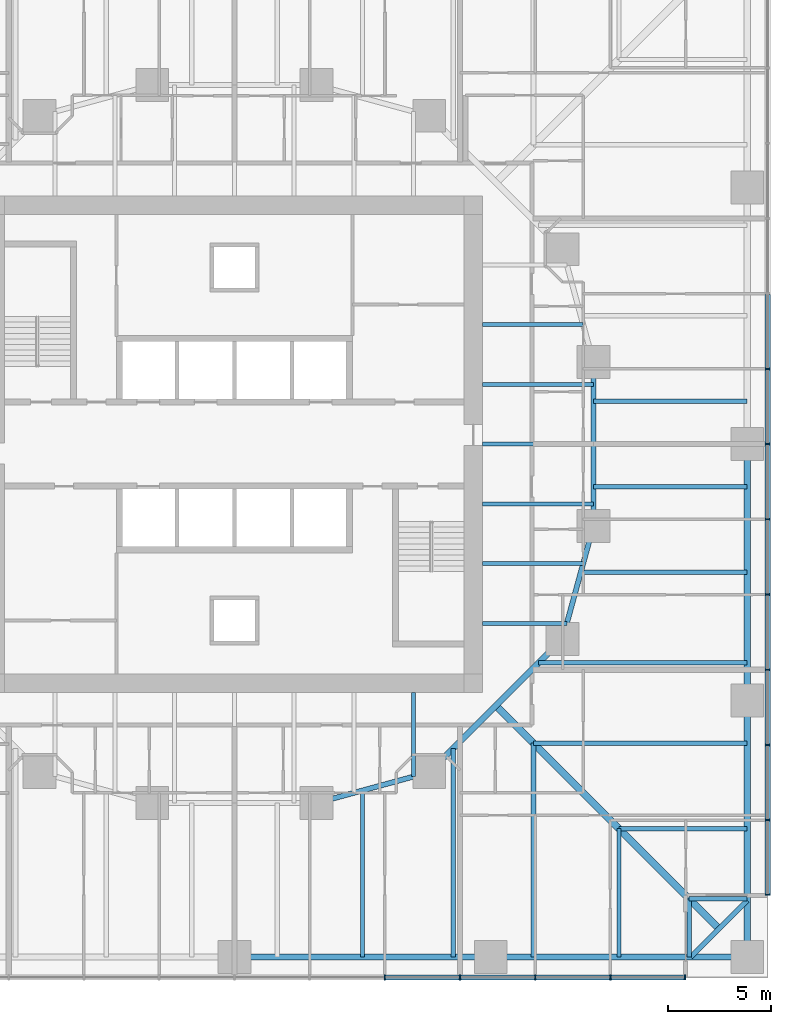
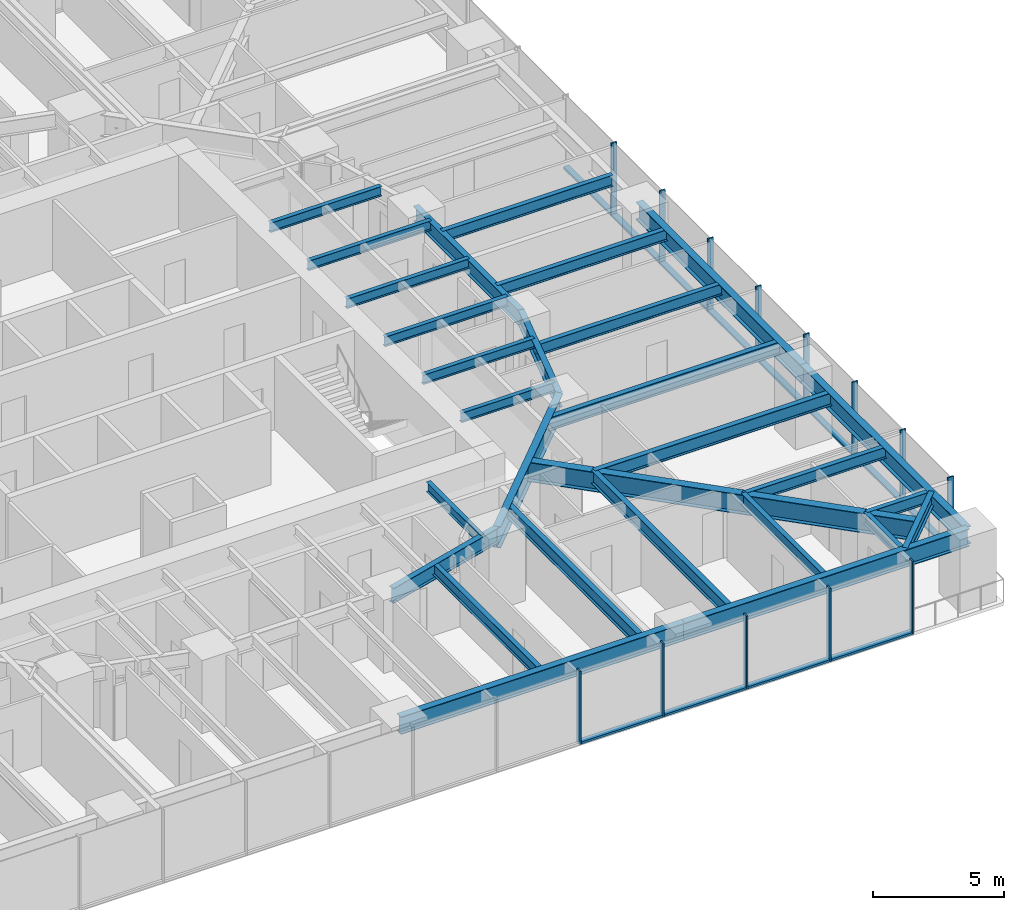
# One storey, part 4 of 17: 29 beams, 25 members, 2 elements without a shape of their own.
"""IFC4 building model written with IfcOpenShell, lengths in metres."""

from ifc_helpers import new_model, si_unit, direction, frame, origin, origin_2d, place, context, subcontext, project, spatial, rectangle, i_section, extrude, material, material_profile, profile_set, type_object, element, aggregate, save


model = new_model("IFC4")

# Units and contexts
model_context = context("Model", 3, precision=1e-05, world=origin(), true_north=direction((0.0, 1.0)))
body_context = subcontext(model_context, "Body", "Model", "MODEL_VIEW")
ifc_project = project(units=[si_unit("LENGTHUNIT", "METRE"), si_unit("AREAUNIT", "SQUARE_METRE"), si_unit("VOLUMEUNIT", "CUBIC_METRE"), si_unit("PLANEANGLEUNIT", "RADIAN"), si_unit("MASSUNIT", "GRAM", prefix="KILO")], contexts=[model_context])

# Site, building, storey
site_placement = place(None, origin())
site = spatial("IfcSite", under=ifc_project, at=site_placement, CompositionType="ELEMENT")
building_placement = place(site_placement, origin())
building = spatial("IfcBuilding", under=site, at=building_placement, Name="Torsade Residences", CompositionType="ELEMENT")
storey_placement = place(building_placement, frame((0.0, 0.0, 21.800048828125)))
storey = spatial("IfcBuildingStorey", under=building, at=storey_placement, Name="L05", CompositionType="ELEMENT", Elevation=21.800048828125)

# Beams
ifc_material_1 = material(Name="Steel grade 300", Category="steel")
ifc_material_profile_1 = material_profile(ifc_material_1, i_section(OverallWidth=0.35009765625, OverallDepth=0.909912109375, WebThickness=0.011962890625, FlangeThickness=0.02490234375, at=origin_2d()), Name="900WB218")
ifc_profile_set_1 = profile_set([ifc_material_profile_1], Name="Steel grade 300")
beam_type_1 = type_object("IfcBeamType", Name="CORNER GIRDER 900WB218", PredefinedType="BEAM", material=ifc_profile_set_1)
beam_1_placement = place(storey_placement, frame((63.625, 6.375, 2.794921875), z_axis=(-0.707106781187, 0.707106781187, 0.0), x_axis=(-0.707106781187, -0.707106781187, 0.0)))
element("IfcBeam", 1, at=beam_1_placement, inside=storey, type_object=beam_type_1, Name="Corner girder 05 L06", PredefinedType="BEAM", context=body_context, shape_type="SweptSolid", body=[
    extrude(i_section(OverallWidth=0.35009765625, OverallDepth=0.909912109375, WebThickness=0.011962890625, FlangeThickness=0.02490234375, at=origin_2d()), origin(), (0.0, 0.0, 1.0), 15.379638671875),
])
ifc_material_2 = material(Name="Steel grade 300", Category="steel")
ifc_material_profile_2 = material_profile(ifc_material_2, i_section(OverallWidth=0.22802734375, OverallDepth=0.60205078125, WebThickness=0.010498046875, FlangeThickness=0.014892578125, FilletRadius=0.013916015625, at=origin_2d()), Name="610UB101")
ifc_profile_set_2 = profile_set([ifc_material_profile_2], Name="Steel grade 300")
beam_type_2 = type_object("IfcBeamType", Name="CORNER TRIMMER 610UB101", PredefinedType="BEAM", material=ifc_profile_set_2)
beam_2_placement = place(storey_placement, frame((65.0, 7.75, 2.948974609375), z_axis=(-0.707106781187, -0.707106781187, 0.0), x_axis=(0.707106781187, -0.707106781187, 0.0)))
element("IfcBeam", 2, at=beam_2_placement, inside=storey, type_object=beam_type_2, Name="Corner trimmer 05 L06", PredefinedType="BEAM", context=body_context, shape_type="SweptSolid", body=[
    extrude(i_section(OverallWidth=0.22802734375, OverallDepth=0.60205078125, WebThickness=0.010498046875, FlangeThickness=0.014892578125, FilletRadius=0.013916015625, at=origin_2d()), origin(), (0.0, 0.0, 1.0), 3.88916015625),
])

# Curtain wall, members
ifc_material_3 = material(Name="Aluminium and glass", Category="aluminium")
curtain_wall_type = type_object("IfcCurtainWallType", Name="FRITTED GLASS CURTAIN WALL LOW ZONE", PredefinedType="NOTDEFINED", material=ifc_material_3)
curtain_wall_1_placement = place(storey_placement, origin())
curtain_wall_1 = element("IfcCurtainWall", 3, at=curtain_wall_1_placement, inside=storey, type_object=curtain_wall_type, Name="Curtain wall L05 face 1", PredefinedType="NOTDEFINED")
ifc_material_4 = material(Name="Aluminium mullion", Category="aluminium")
ifc_material_profile_3 = material_profile(ifc_material_4, rectangle(XDim=0.25, YDim=0.06494140625, at=origin_2d()), Name="CURTAIN WALL MULLION 250x65")
ifc_profile_set_3 = profile_set([ifc_material_profile_3], Name="Aluminium mullion")
member_type_1 = type_object("IfcMemberType", Name="CURTAIN WALL MULLION 250x65", PredefinedType="MULLION", material=ifc_profile_set_3)
member_1_placement = place(storey_placement, frame((47.333251953125, 4.0, 0.0), z_axis=(0.0, 0.0, 1.0), x_axis=(0.0, 1.0, 0.0)))
member_1 = element("IfcMember", 4, at=member_1_placement, type_object=member_type_1, Name="Mullion 9", PredefinedType="MULLION", context=body_context, shape_type="SweptSolid", body=[
    extrude(rectangle(XDim=0.25, YDim=0.06494140625, at=origin_2d()), origin(), (0.0, 0.0, 1.0), 3.39990234375),
])
member_2_placement = place(storey_placement, frame((51.0, 4.0, 0.0), z_axis=(0.0, 0.0, 1.0), x_axis=(0.0, 1.0, 0.0)))
member_2 = element("IfcMember", 5, at=member_2_placement, type_object=member_type_1, Name="Mullion 10", PredefinedType="MULLION", context=body_context, shape_type="SweptSolid", body=[
    extrude(rectangle(XDim=0.25, YDim=0.06494140625, at=origin_2d()), origin(), (0.0, 0.0, 1.0), 3.39990234375),
])
member_3_placement = place(storey_placement, frame((54.666748046875, 4.0, 0.0), z_axis=(0.0, 0.0, 1.0), x_axis=(0.0, 1.0, 0.0)))
member_3 = element("IfcMember", 6, at=member_3_placement, type_object=member_type_1, Name="Mullion 11", PredefinedType="MULLION", context=body_context, shape_type="SweptSolid", body=[
    extrude(rectangle(XDim=0.25, YDim=0.06494140625, at=origin_2d()), origin(), (0.0, 0.0, 1.0), 3.39990234375),
])
member_4_placement = place(storey_placement, frame((58.333251953125, 4.0, 0.0), z_axis=(0.0, 0.0, 1.0), x_axis=(0.0, 1.0, 0.0)))
member_4 = element("IfcMember", 7, at=member_4_placement, type_object=member_type_1, Name="Mullion 12", PredefinedType="MULLION", context=body_context, shape_type="SweptSolid", body=[
    extrude(rectangle(XDim=0.25, YDim=0.06494140625, at=origin_2d()), origin(), (0.0, 0.0, 1.0), 3.39990234375),
])
member_5_placement = place(storey_placement, frame((61.967529296875, 4.0, 0.0), z_axis=(0.0, 0.0, 1.0), x_axis=(0.0, 1.0, 0.0)))
member_5 = element("IfcMember", 8, at=member_5_placement, type_object=member_type_1, Name="Mullion 13", PredefinedType="MULLION", context=body_context, shape_type="SweptSolid", body=[
    extrude(rectangle(XDim=0.25, YDim=0.06494140625, at=origin_2d()), origin(), (0.0, 0.0, 1.0), 3.39990234375),
])

curtain_wall_2_placement = place(storey_placement, origin())
curtain_wall_2 = element("IfcCurtainWall", 9, at=curtain_wall_2_placement, inside=storey, type_object=curtain_wall_type, Name="Curtain wall L05 face 4", PredefinedType="NOTDEFINED")
member_6_placement = place(storey_placement, frame((66.0, 8.032470703125, 0.0), z_axis=(0.0, 0.0, 1.0), x_axis=(-1.0, 0.0, 0.0)))
member_6 = element("IfcMember", 10, at=member_6_placement, type_object=member_type_1, Name="Mullion 1", PredefinedType="MULLION", context=body_context, shape_type="SweptSolid", body=[
    extrude(rectangle(XDim=0.25, YDim=0.06494140625, at=origin_2d()), origin(), (0.0, 0.0, 1.0), 3.39990234375),
])
member_7_placement = place(storey_placement, frame((66.0, 11.666748046875, 0.0), z_axis=(0.0, 0.0, 1.0), x_axis=(-1.0, 0.0, 0.0)))
member_7 = element("IfcMember", 11, at=member_7_placement, type_object=member_type_1, Name="Mullion 2", PredefinedType="MULLION", context=body_context, shape_type="SweptSolid", body=[
    extrude(rectangle(XDim=0.25, YDim=0.06494140625, at=origin_2d()), origin(), (0.0, 0.0, 1.0), 3.39990234375),
])
member_8_placement = place(storey_placement, frame((66.0, 15.333251953125, 0.0), z_axis=(0.0, 0.0, 1.0), x_axis=(-1.0, 0.0, 0.0)))
member_8 = element("IfcMember", 12, at=member_8_placement, type_object=member_type_1, Name="Mullion 3", PredefinedType="MULLION", context=body_context, shape_type="SweptSolid", body=[
    extrude(rectangle(XDim=0.25, YDim=0.06494140625, at=origin_2d()), origin(), (0.0, 0.0, 1.0), 3.39990234375),
])
member_9_placement = place(storey_placement, frame((66.0, 19.0, 0.0), z_axis=(0.0, 0.0, 1.0), x_axis=(-1.0, 0.0, 0.0)))
member_9 = element("IfcMember", 13, at=member_9_placement, type_object=member_type_1, Name="Mullion 4", PredefinedType="MULLION", context=body_context, shape_type="SweptSolid", body=[
    extrude(rectangle(XDim=0.25, YDim=0.06494140625, at=origin_2d()), origin(), (0.0, 0.0, 1.0), 3.39990234375),
])
member_10_placement = place(storey_placement, frame((66.0, 22.666748046875, 0.0), z_axis=(0.0, 0.0, 1.0), x_axis=(-1.0, 0.0, 0.0)))
member_10 = element("IfcMember", 14, at=member_10_placement, type_object=member_type_1, Name="Mullion 5", PredefinedType="MULLION", context=body_context, shape_type="SweptSolid", body=[
    extrude(rectangle(XDim=0.25, YDim=0.06494140625, at=origin_2d()), origin(), (0.0, 0.0, 1.0), 3.39990234375),
])
member_11_placement = place(storey_placement, frame((66.0, 26.333251953125, 0.0), z_axis=(0.0, 0.0, 1.0), x_axis=(-1.0, 0.0, 0.0)))
member_11 = element("IfcMember", 15, at=member_11_placement, type_object=member_type_1, Name="Mullion 6", PredefinedType="MULLION", context=body_context, shape_type="SweptSolid", body=[
    extrude(rectangle(XDim=0.25, YDim=0.06494140625, at=origin_2d()), origin(), (0.0, 0.0, 1.0), 3.39990234375),
])
member_12_placement = place(storey_placement, frame((66.0, 30.0, 0.0), z_axis=(0.0, 0.0, 1.0), x_axis=(-1.0, 0.0, 0.0)))
member_12 = element("IfcMember", 16, at=member_12_placement, type_object=member_type_1, Name="Mullion 7", PredefinedType="MULLION", context=body_context, shape_type="SweptSolid", body=[
    extrude(rectangle(XDim=0.25, YDim=0.06494140625, at=origin_2d()), origin(), (0.0, 0.0, 1.0), 3.39990234375),
])
member_13_placement = place(storey_placement, frame((66.0, 33.666748046875, 0.0), z_axis=(0.0, 0.0, 1.0), x_axis=(-1.0, 0.0, 0.0)))
member_13 = element("IfcMember", 17, at=member_13_placement, type_object=member_type_1, Name="Mullion 8", PredefinedType="MULLION", context=body_context, shape_type="SweptSolid", body=[
    extrude(rectangle(XDim=0.25, YDim=0.06494140625, at=origin_2d()), origin(), (0.0, 0.0, 1.0), 3.39990234375),
])

# Member
ifc_material_5 = material(Name="Aluminium transom", Category="aluminium")
ifc_material_profile_4 = material_profile(ifc_material_5, rectangle(XDim=0.25, YDim=0.10009765625, at=origin_2d()), Name="CURTAIN WALL TRANSOM 250x100")
ifc_profile_set_4 = profile_set([ifc_material_profile_4], Name="Aluminium transom")
member_type_2 = type_object("IfcMemberType", Name="CURTAIN WALL TRANSOM 250x100", PredefinedType="USERDEFINED", material=ifc_profile_set_4)
member_14_placement = place(storey_placement, frame((47.36572265625, 4.0, 0.050048828125), z_axis=(1.0, 0.0, 0.0), x_axis=(0.0, 1.0, 0.0)))
member_14 = element("IfcMember", 18, at=member_14_placement, type_object=member_type_2, Name="Transom 9.1", ObjectType="TRANSOM", PredefinedType="USERDEFINED", context=body_context, shape_type="SweptSolid", body=[
    extrude(rectangle(XDim=0.25, YDim=0.10009765625, at=origin_2d()), origin(), (0.0, 0.0, 1.0), 3.601806640625),
])

member_15_placement = place(storey_placement, frame((51.032470703125, 4.0, 0.050048828125), z_axis=(1.0, 0.0, 0.0), x_axis=(0.0, 1.0, 0.0)))
member_15 = element("IfcMember", 19, at=member_15_placement, type_object=member_type_2, Name="Transom 10.1", ObjectType="TRANSOM", PredefinedType="USERDEFINED", context=body_context, shape_type="SweptSolid", body=[
    extrude(rectangle(XDim=0.25, YDim=0.10009765625, at=origin_2d()), origin(), (0.0, 0.0, 1.0), 3.601806640625),
])

member_16_placement = place(storey_placement, frame((54.69921875, 4.0, 0.050048828125), z_axis=(1.0, 0.0, 0.0), x_axis=(0.0, 1.0, 0.0)))
member_16 = element("IfcMember", 20, at=member_16_placement, type_object=member_type_2, Name="Transom 11.1", ObjectType="TRANSOM", PredefinedType="USERDEFINED", context=body_context, shape_type="SweptSolid", body=[
    extrude(rectangle(XDim=0.25, YDim=0.10009765625, at=origin_2d()), origin(), (0.0, 0.0, 1.0), 3.6015625),
])

member_17_placement = place(storey_placement, frame((58.36572265625, 4.0, 0.050048828125), z_axis=(1.0, 0.0, 0.0), x_axis=(0.0, 1.0, 0.0)))
member_17 = element("IfcMember", 21, at=member_17_placement, type_object=member_type_2, Name="Transom 12.1", ObjectType="TRANSOM", PredefinedType="USERDEFINED", context=body_context, shape_type="SweptSolid", body=[
    extrude(rectangle(XDim=0.25, YDim=0.10009765625, at=origin_2d()), origin(), (0.0, 0.0, 1.0), 3.5693359375),
])

aggregate(curtain_wall_1, [member_1, member_2, member_3, member_4, member_5, member_14, member_15, member_16, member_17])

member_18_placement = place(storey_placement, frame((66.0, 8.06494140625, 0.050048828125), z_axis=(0.0, 1.0, 0.0), x_axis=(-1.0, 0.0, 0.0)))
member_18 = element("IfcMember", 22, at=member_18_placement, type_object=member_type_2, Name="Transom 1.1", ObjectType="TRANSOM", PredefinedType="USERDEFINED", context=body_context, shape_type="SweptSolid", body=[
    extrude(rectangle(XDim=0.25, YDim=0.10009765625, at=origin_2d()), origin(), (0.0, 0.0, 1.0), 3.5693359375),
])

member_19_placement = place(storey_placement, frame((66.0, 11.69921875, 0.050048828125), z_axis=(0.0, 1.0, 0.0), x_axis=(-1.0, 0.0, 0.0)))
member_19 = element("IfcMember", 23, at=member_19_placement, type_object=member_type_2, Name="Transom 2.1", ObjectType="TRANSOM", PredefinedType="USERDEFINED", context=body_context, shape_type="SweptSolid", body=[
    extrude(rectangle(XDim=0.25, YDim=0.10009765625, at=origin_2d()), origin(), (0.0, 0.0, 1.0), 3.6015625),
])

member_20_placement = place(storey_placement, frame((66.0, 15.36572265625, 0.050048828125), z_axis=(0.0, 1.0, 0.0), x_axis=(-1.0, 0.0, 0.0)))
member_20 = element("IfcMember", 24, at=member_20_placement, type_object=member_type_2, Name="Transom 3.1", ObjectType="TRANSOM", PredefinedType="USERDEFINED", context=body_context, shape_type="SweptSolid", body=[
    extrude(rectangle(XDim=0.25, YDim=0.10009765625, at=origin_2d()), origin(), (0.0, 0.0, 1.0), 3.601806640625),
])

member_21_placement = place(storey_placement, frame((66.0, 19.032470703125, 0.050048828125), z_axis=(0.0, 1.0, 0.0), x_axis=(-1.0, 0.0, 0.0)))
member_21 = element("IfcMember", 25, at=member_21_placement, type_object=member_type_2, Name="Transom 4.1", ObjectType="TRANSOM", PredefinedType="USERDEFINED", context=body_context, shape_type="SweptSolid", body=[
    extrude(rectangle(XDim=0.25, YDim=0.10009765625, at=origin_2d()), origin(), (0.0, 0.0, 1.0), 3.601806640625),
])

member_22_placement = place(storey_placement, frame((66.0, 22.69921875, 0.050048828125), z_axis=(0.0, 1.0, 0.0), x_axis=(-1.0, 0.0, 0.0)))
member_22 = element("IfcMember", 26, at=member_22_placement, type_object=member_type_2, Name="Transom 5.1", ObjectType="TRANSOM", PredefinedType="USERDEFINED", context=body_context, shape_type="SweptSolid", body=[
    extrude(rectangle(XDim=0.25, YDim=0.10009765625, at=origin_2d()), origin(), (0.0, 0.0, 1.0), 3.6015625),
])

member_23_placement = place(storey_placement, frame((66.0, 26.36572265625, 0.050048828125), z_axis=(0.0, 1.0, 0.0), x_axis=(-1.0, 0.0, 0.0)))
member_23 = element("IfcMember", 27, at=member_23_placement, type_object=member_type_2, Name="Transom 6.1", ObjectType="TRANSOM", PredefinedType="USERDEFINED", context=body_context, shape_type="SweptSolid", body=[
    extrude(rectangle(XDim=0.25, YDim=0.10009765625, at=origin_2d()), origin(), (0.0, 0.0, 1.0), 3.601806640625),
])

member_24_placement = place(storey_placement, frame((66.0, 30.032470703125, 0.050048828125), z_axis=(0.0, 1.0, 0.0), x_axis=(-1.0, 0.0, 0.0)))
member_24 = element("IfcMember", 28, at=member_24_placement, type_object=member_type_2, Name="Transom 7.1", ObjectType="TRANSOM", PredefinedType="USERDEFINED", context=body_context, shape_type="SweptSolid", body=[
    extrude(rectangle(XDim=0.25, YDim=0.10009765625, at=origin_2d()), origin(), (0.0, 0.0, 1.0), 3.601806640625),
])

member_25_placement = place(storey_placement, frame((66.0, 33.69921875, 0.050048828125), z_axis=(0.0, 1.0, 0.0), x_axis=(-1.0, 0.0, 0.0)))
member_25 = element("IfcMember", 29, at=member_25_placement, type_object=member_type_2, Name="Transom 8.1", ObjectType="TRANSOM", PredefinedType="USERDEFINED", context=body_context, shape_type="SweptSolid", body=[
    extrude(rectangle(XDim=0.25, YDim=0.10009765625, at=origin_2d()), origin(), (0.0, 0.0, 1.0), 3.6015625),
])

aggregate(curtain_wall_2, [member_6, member_7, member_8, member_9, member_10, member_11, member_12, member_13, member_18, member_19, member_20, member_21, member_22, member_23, member_24, member_25])

# Beams
ifc_material_6 = material(Name="Steel grade 300", Category="steel")
ifc_material_profile_5 = material_profile(ifc_material_6, i_section(OverallWidth=0.300048828125, OverallDepth=0.81591796875, WebThickness=0.010009765625, FlangeThickness=0.028076171875, at=origin_2d()), Name="800WB192")
ifc_profile_set_5 = profile_set([ifc_material_profile_5], Name="Steel grade 300")
beam_type_3 = type_object("IfcBeamType", Name="EDGE BEAM 800WB192", PredefinedType="SPANDREL", material=ifc_profile_set_5)
for number, where, z_axis, x_axis, name in (
    (30, (40.0, 5.0, 2.842041015625), (1.0, 0.0, 0.0), (0.0, 1.0, 0.0), "Edge beam 03 L06"),
    (31, (52.5, 5.0, 2.842041015625), (1.0, 0.0, 0.0), (0.0, 1.0, 0.0), "Edge beam 04 L06"),
    (32, (65.0, 5.0, 2.842041015625), (0.0, 1.0, 0.0), (-1.0, 0.0, 0.0), "Edge beam 05 L06"),
    (33, (65.0, 17.5, 2.842041015625), (0.0, 1.0, 0.0), (-1.0, 0.0, 0.0), "Edge beam 06 L06"),
):
    element("IfcBeam", number, at=place(storey_placement, frame(where, z_axis=z_axis, x_axis=x_axis)), inside=storey, type_object=beam_type_3, Name=name, PredefinedType="SPANDREL", context=body_context, shape_type="SweptSolid", body=[
        extrude(i_section(OverallWidth=0.300048828125, OverallDepth=0.81591796875, WebThickness=0.010009765625, FlangeThickness=0.028076171875, at=origin_2d()), origin(), (0.0, 0.0, 1.0), 12.5),
    ])
ifc_material_7 = material(Name="Steel grade 300", Category="steel")
ifc_material_profile_6 = material_profile(ifc_material_7, i_section(OverallWidth=0.18994140625, OverallDepth=0.4541015625, WebThickness=0.008544921875, FlangeThickness=0.0126953125, FilletRadius=0.011474609375, at=origin_2d()), Name="460UB67.1")
ifc_profile_set_6 = profile_set([ifc_material_profile_6], Name="Steel grade 300")
beam_type_4 = type_object("IfcBeamType", Name="INNER FLOOR BEAM 460UB67.1", PredefinedType="JOIST", material=ifc_profile_set_6)
for number, where, z_axis, x_axis, name in (
    (34, (48.737548828125, 17.89990234375, 3.02294921875), (0.0, -1.0, 0.0), (1.0, 0.0, 0.0), "Inner floor beam IS01 L06"),
    (35, (52.10009765625, 21.262451171875, 3.02294921875), (1.0, 0.0, 0.0), (0.0, 1.0, 0.0), "Inner floor beam IE01 L06"),
):
    element("IfcBeam", number, at=place(storey_placement, frame(where, z_axis=z_axis, x_axis=x_axis)), inside=storey, type_object=beam_type_4, Name=name, PredefinedType="JOIST", context=body_context, shape_type="SweptSolid", body=[
        extrude(i_section(OverallWidth=0.18994140625, OverallDepth=0.4541015625, WebThickness=0.008544921875, FlangeThickness=0.0126953125, FilletRadius=0.011474609375, at=origin_2d()), origin(), (0.0, 0.0, 1.0), 4.10791015625),
    ])
beam_3_placement = place(storey_placement, frame((52.10009765625, 24.175048828125, 3.02294921875), z_axis=(1.0, 0.0, 0.0), x_axis=(0.0, 1.0, 0.0)))
element("IfcBeam", 36, at=beam_3_placement, inside=storey, type_object=beam_type_4, Name="Inner floor beam IE02 L06", PredefinedType="JOIST", context=body_context, shape_type="SweptSolid", body=[
    extrude(i_section(OverallWidth=0.18994140625, OverallDepth=0.4541015625, WebThickness=0.008544921875, FlangeThickness=0.0126953125, FilletRadius=0.011474609375, at=origin_2d()), origin(), (0.0, 0.0, 1.0), 4.902099609375),
])
for number, where, z_axis, x_axis, name in (
    (37, (52.10009765625, 27.08740234375, 3.02294921875), (1.0, 0.0, 0.0), (0.0, 1.0, 0.0), "Inner floor beam IE03 L06"),
    (38, (52.10009765625, 30.0, 3.02294921875), (1.0, 0.0, 0.0), (0.0, 1.0, 0.0), "Inner floor beam IE04 L06"),
    (39, (52.10009765625, 32.91259765625, 3.02294921875), (1.0, 0.0, 0.0), (0.0, 1.0, 0.0), "Inner floor beam IE05 L06"),
):
    element("IfcBeam", number, at=place(storey_placement, frame(where, z_axis=z_axis, x_axis=x_axis)), inside=storey, type_object=beam_type_4, Name=name, PredefinedType="JOIST", context=body_context, shape_type="SweptSolid", body=[
        extrude(i_section(OverallWidth=0.18994140625, OverallDepth=0.4541015625, WebThickness=0.008544921875, FlangeThickness=0.0126953125, FilletRadius=0.011474609375, at=origin_2d()), origin(), (0.0, 0.0, 1.0), 5.39990234375),
    ])
beam_4_placement = place(storey_placement, frame((52.10009765625, 35.824951171875, 3.02294921875), z_axis=(1.0, 0.0, 0.0), x_axis=(0.0, 1.0, 0.0)))
element("IfcBeam", 40, at=beam_4_placement, inside=storey, type_object=beam_type_4, Name="Inner floor beam IE06 L06", PredefinedType="JOIST", context=body_context, shape_type="SweptSolid", body=[
    extrude(i_section(OverallWidth=0.18994140625, OverallDepth=0.4541015625, WebThickness=0.008544921875, FlangeThickness=0.0126953125, FilletRadius=0.011474609375, at=origin_2d()), origin(), (0.0, 0.0, 1.0), 4.902099609375),
])
ifc_material_8 = material(Name="Steel grade 300", Category="steel")
ifc_material_profile_7 = material_profile(ifc_material_8, i_section(OverallWidth=0.300048828125, OverallDepth=1.0, WebThickness=0.01611328125, FlangeThickness=0.028076171875, at=origin_2d()), Name="1000WB215")
ifc_profile_set_7 = profile_set([ifc_material_profile_7], Name="Steel grade 300")
beam_type_5 = type_object("IfcBeamType", Name="RING CORNER GIRDER 1000WB215", PredefinedType="BEAM", material=ifc_profile_set_7)
beam_5_placement = place(storey_placement, frame((49.5, 14.0, 2.75), z_axis=(0.707106781187, 0.707106781187, 0.0), x_axis=(-0.707106781187, 0.707106781187, 0.0)))
element("IfcBeam", 41, at=beam_5_placement, inside=storey, type_object=beam_type_5, Name="Ring girder IR15 L06", PredefinedType="BEAM", context=body_context, shape_type="SweptSolid", body=[
    extrude(i_section(OverallWidth=0.300048828125, OverallDepth=1.0, WebThickness=0.01611328125, FlangeThickness=0.028076171875, at=origin_2d()), origin(), (0.0, 0.0, 1.0), 9.1923828125),
])
ifc_material_9 = material(Name="Steel grade 300", Category="steel")
ifc_material_profile_8 = material_profile(ifc_material_9, i_section(OverallWidth=0.25, OverallDepth=0.699951171875, WebThickness=0.010009765625, FlangeThickness=0.02001953125, at=origin_2d()), Name="700WB130")
ifc_profile_set_8 = profile_set([ifc_material_profile_8], Name="Steel grade 300")
beam_type_6 = type_object("IfcBeamType", Name="RING GIRDER 700WB130", PredefinedType="BEAM", material=ifc_profile_set_8)
beam_6_placement = place(storey_placement, frame((57.5, 26.0, 2.89990234375), z_axis=(0.0, 1.0, 0.0), x_axis=(-1.0, 0.0, 0.0)))
element("IfcBeam", 42, at=beam_6_placement, inside=storey, type_object=beam_type_6, Name="Ring girder IR01 L06", PredefinedType="BEAM", context=body_context, shape_type="SweptSolid", body=[
    extrude(i_section(OverallWidth=0.25, OverallDepth=0.699951171875, WebThickness=0.010009765625, FlangeThickness=0.02001953125, at=origin_2d()), origin(), (0.0, 0.0, 1.0), 8.0),
])
for number, where, z_axis, x_axis, name in (
    (43, (44.0, 12.5, 2.89990234375), (0.964763821238, 0.263117405792, 0.0), (-0.263117405792, 0.964763821238, 0.0), "Ring girder IR14 L06"),
    (44, (56.0, 20.5, 2.89990234375), (0.263117405792, 0.964763821238, 0.0), (-0.964763821238, 0.263117405792, 0.0), "Ring girder IR16 L06"),
):
    element("IfcBeam", number, at=place(storey_placement, frame(where, z_axis=z_axis, x_axis=x_axis)), inside=storey, type_object=beam_type_6, Name=name, PredefinedType="BEAM", context=body_context, shape_type="SweptSolid", body=[
        extrude(i_section(OverallWidth=0.25, OverallDepth=0.699951171875, WebThickness=0.010009765625, FlangeThickness=0.02001953125, at=origin_2d()), origin(), (0.0, 0.0, 1.0), 5.700927734375),
    ])
ifc_material_10 = material(Name="Steel grade 300", Category="steel")
ifc_material_profile_9 = material_profile(ifc_material_10, i_section(OverallWidth=0.208984375, OverallDepth=0.528076171875, WebThickness=0.009521484375, FlangeThickness=0.01318359375, FilletRadius=0.013916015625, at=origin_2d()), Name="530UB82.0")
ifc_profile_set_9 = profile_set([ifc_material_profile_9], Name="Steel grade 300")
beam_type_7 = type_object("IfcBeamType", Name="SECONDARY BEAM 530UB82.0", PredefinedType="JOIST", material=ifc_profile_set_9)
beam_7_placement = place(storey_placement, frame((46.25, 5.0, 2.98583984375), z_axis=(0.0, 1.0, 0.0), x_axis=(-1.0, 0.0, 0.0)))
element("IfcBeam", 45, at=beam_7_placement, inside=storey, type_object=beam_type_7, Name="Floor beam FS08 L06", PredefinedType="JOIST", context=body_context, shape_type="SweptSolid", body=[
    extrude(i_section(OverallWidth=0.208984375, OverallDepth=0.528076171875, WebThickness=0.009521484375, FlangeThickness=0.01318359375, FilletRadius=0.013916015625, at=origin_2d()), origin(), (0.0, 0.0, 1.0), 8.113525390625),
])
beam_8_placement = place(storey_placement, frame((58.75, 5.0, 2.98583984375), z_axis=(0.0, 1.0, 0.0), x_axis=(-1.0, 0.0, 0.0)))
element("IfcBeam", 46, at=beam_8_placement, inside=storey, type_object=beam_type_7, Name="Floor beam FS11 L06", PredefinedType="JOIST", context=body_context, shape_type="SweptSolid", body=[
    extrude(i_section(OverallWidth=0.208984375, OverallDepth=0.528076171875, WebThickness=0.009521484375, FlangeThickness=0.01318359375, FilletRadius=0.013916015625, at=origin_2d()), origin(), (0.0, 0.0, 1.0), 6.25),
])
for number, where, z_axis, x_axis, name in (
    (47, (62.166748046875, 5.0, 2.98583984375), (0.0, 1.0, 0.0), (-1.0, 0.0, 0.0), "Floor beam FS12 L06"),
    (48, (65.0, 7.833251953125, 2.98583984375), (-1.0, 0.0, 0.0), (0.0, -1.0, 0.0), "Floor beam FE01 L06"),
):
    element("IfcBeam", number, at=place(storey_placement, frame(where, z_axis=z_axis, x_axis=x_axis)), inside=storey, type_object=beam_type_7, Name=name, PredefinedType="JOIST", context=body_context, shape_type="SweptSolid", body=[
        extrude(i_section(OverallWidth=0.208984375, OverallDepth=0.528076171875, WebThickness=0.009521484375, FlangeThickness=0.01318359375, FilletRadius=0.013916015625, at=origin_2d()), origin(), (0.0, 0.0, 1.0), 2.833251953125),
    ])
beam_9_placement = place(storey_placement, frame((65.0, 11.25, 2.98583984375), z_axis=(-1.0, 0.0, 0.0), x_axis=(0.0, -1.0, 0.0)))
element("IfcBeam", 49, at=beam_9_placement, inside=storey, type_object=beam_type_7, Name="Floor beam FE02 L06", PredefinedType="JOIST", context=body_context, shape_type="SweptSolid", body=[
    extrude(i_section(OverallWidth=0.208984375, OverallDepth=0.528076171875, WebThickness=0.009521484375, FlangeThickness=0.01318359375, FilletRadius=0.013916015625, at=origin_2d()), origin(), (0.0, 0.0, 1.0), 6.25),
])
beam_10_placement = place(storey_placement, frame((65.0, 23.75, 2.98583984375), z_axis=(-1.0, 0.0, 0.0), x_axis=(0.0, -1.0, 0.0)))
element("IfcBeam", 50, at=beam_10_placement, inside=storey, type_object=beam_type_7, Name="Floor beam FE05 L06", PredefinedType="JOIST", context=body_context, shape_type="SweptSolid", body=[
    extrude(i_section(OverallWidth=0.208984375, OverallDepth=0.528076171875, WebThickness=0.009521484375, FlangeThickness=0.01318359375, FilletRadius=0.013916015625, at=origin_2d()), origin(), (0.0, 0.0, 1.0), 8.113525390625),
])
for number, where, z_axis, x_axis, name in (
    (51, (65.0, 27.916748046875, 2.98583984375), (-1.0, 0.0, 0.0), (0.0, -1.0, 0.0), "Floor beam FE06 L06"),
    (52, (65.0, 32.083251953125, 2.98583984375), (-1.0, 0.0, 0.0), (0.0, -1.0, 0.0), "Floor beam FE07 L06"),
):
    element("IfcBeam", number, at=place(storey_placement, frame(where, z_axis=z_axis, x_axis=x_axis)), inside=storey, type_object=beam_type_7, Name=name, PredefinedType="JOIST", context=body_context, shape_type="SweptSolid", body=[
        extrude(i_section(OverallWidth=0.208984375, OverallDepth=0.528076171875, WebThickness=0.009521484375, FlangeThickness=0.01318359375, FilletRadius=0.013916015625, at=origin_2d()), origin(), (0.0, 0.0, 1.0), 7.5),
    ])
ifc_material_11 = material(Name="Steel grade 300", Category="steel")
ifc_material_profile_10 = material_profile(ifc_material_11, i_section(OverallWidth=0.22900390625, OverallDepth=0.612060546875, WebThickness=0.011962890625, FlangeThickness=0.01953125, FilletRadius=0.013916015625, at=origin_2d()), Name="610UB125")
ifc_profile_set_10 = profile_set([ifc_material_profile_10], Name="Steel grade 300")
beam_type_8 = type_object("IfcBeamType", Name="SECONDARY BEAM 610UB125", PredefinedType="JOIST", material=ifc_profile_set_10)
beam_11_placement = place(storey_placement, frame((50.666748046875, 5.0, 2.94384765625), z_axis=(0.0, 1.0, 0.0), x_axis=(-1.0, 0.0, 0.0)))
element("IfcBeam", 53, at=beam_11_placement, inside=storey, type_object=beam_type_8, Name="Floor beam FS09 L06", PredefinedType="JOIST", context=body_context, shape_type="SweptSolid", body=[
    extrude(i_section(OverallWidth=0.22900390625, OverallDepth=0.612060546875, WebThickness=0.011962890625, FlangeThickness=0.01953125, FilletRadius=0.013916015625, at=origin_2d()), origin(), (0.0, 0.0, 1.0), 10.166748046875),
])
for number, where, z_axis, x_axis, name in (
    (54, (54.583251953125, 5.0, 2.94384765625), (0.0, 1.0, 0.0), (-1.0, 0.0, 0.0), "Floor beam FS10 L06"),
    (55, (65.0, 15.416748046875, 2.94384765625), (-1.0, 0.0, 0.0), (0.0, -1.0, 0.0), "Floor beam FE03 L06"),
):
    element("IfcBeam", number, at=place(storey_placement, frame(where, z_axis=z_axis, x_axis=x_axis)), inside=storey, type_object=beam_type_8, Name=name, PredefinedType="JOIST", context=body_context, shape_type="SweptSolid", body=[
        extrude(i_section(OverallWidth=0.22900390625, OverallDepth=0.612060546875, WebThickness=0.011962890625, FlangeThickness=0.01953125, FilletRadius=0.013916015625, at=origin_2d()), origin(), (0.0, 0.0, 1.0), 10.416748046875),
    ])
beam_12_placement = place(storey_placement, frame((65.0, 19.333251953125, 2.94384765625), z_axis=(-1.0, 0.0, 0.0), x_axis=(0.0, -1.0, 0.0)))
element("IfcBeam", 56, at=beam_12_placement, inside=storey, type_object=beam_type_8, Name="Floor beam FE04 L06", PredefinedType="JOIST", context=body_context, shape_type="SweptSolid", body=[
    extrude(i_section(OverallWidth=0.22900390625, OverallDepth=0.612060546875, WebThickness=0.011962890625, FlangeThickness=0.01953125, FilletRadius=0.013916015625, at=origin_2d()), origin(), (0.0, 0.0, 1.0), 10.166748046875),
])

save(model, "model.ifc")
